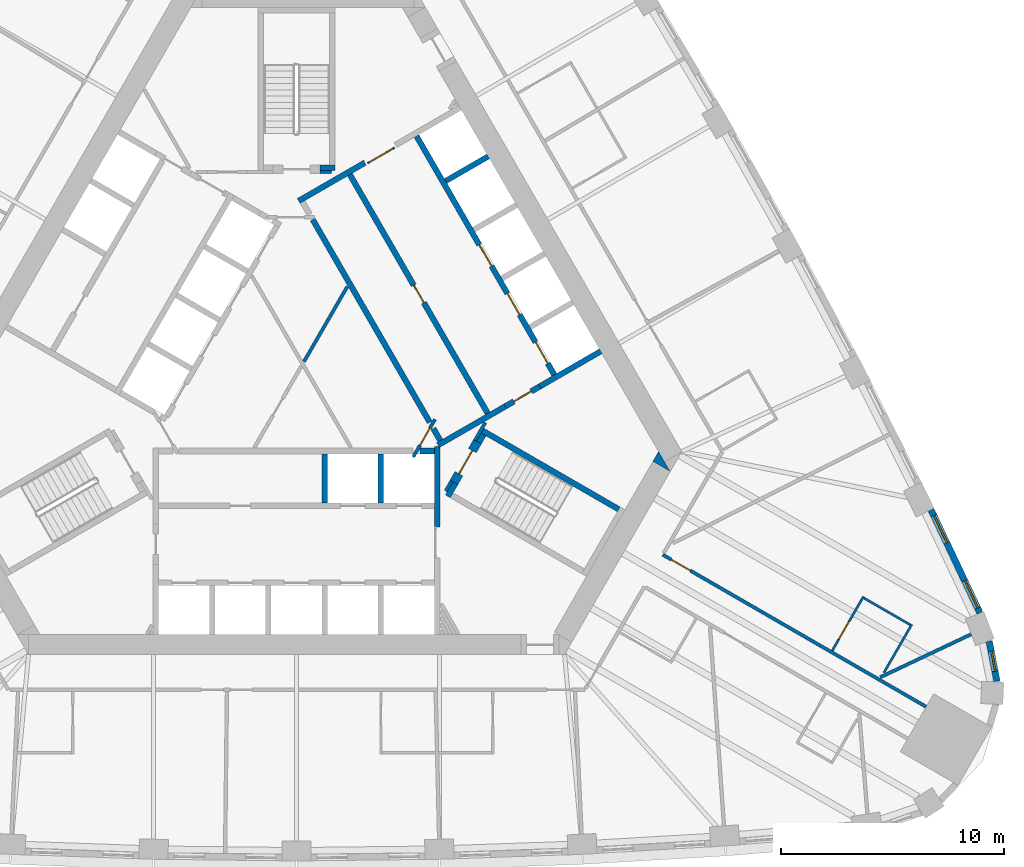
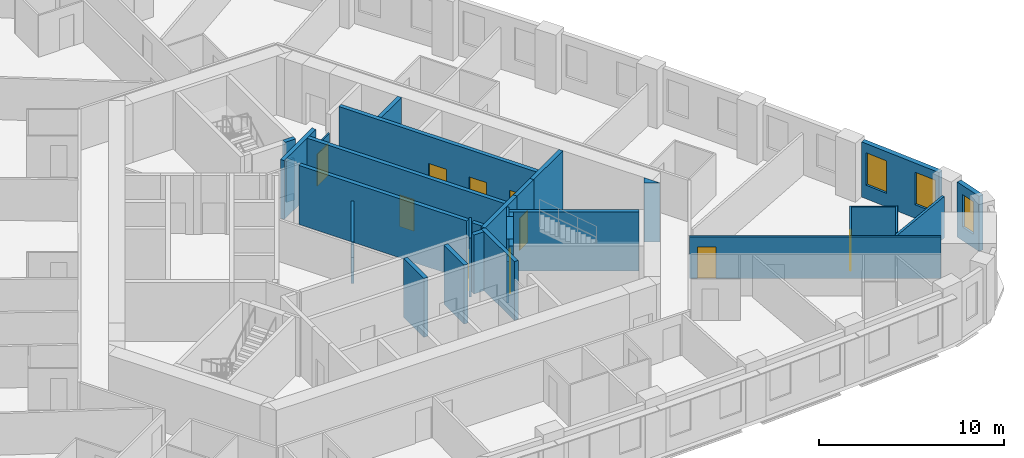
# One storey, part 8 of 12: 32 walls, 10 doors, 3 windows, 13 openings.
"""IFC4 building model written with IfcOpenShell, lengths in metres."""

from ifc_helpers import new_model, si_unit, direction, frame, frame_2d, origin, place, context, subcontext, project, spatial, polyline, rectangle, outline, extrude, material, layer, layer_set, type_object, element, fill, save


model = new_model("IFC4")

# Units and contexts
model_context = context("Model", 3, precision=1e-05, world=origin(), true_north=direction((0.0, 1.0)))
body_context = subcontext(model_context, "Body", "Model", "MODEL_VIEW")
ifc_project = project(units=[si_unit("LENGTHUNIT", "METRE"), si_unit("AREAUNIT", "SQUARE_METRE"), si_unit("VOLUMEUNIT", "CUBIC_METRE"), si_unit("PLANEANGLEUNIT", "RADIAN"), si_unit("MASSUNIT", "GRAM", prefix="KILO")], contexts=[model_context])

# Site, building, storey
site_placement = place(None, origin())
site = spatial("IfcSite", under=ifc_project, at=site_placement, CompositionType="ELEMENT")
building_placement = place(site_placement, origin())
building = spatial("IfcBuilding", under=site, at=building_placement, Name="Mestral Congress Tower", CompositionType="ELEMENT")
storey_placement = place(building_placement, frame((0.0, 0.0, 122.699951171875)))
storey = spatial("IfcBuildingStorey", under=building, at=storey_placement, Name="L29", CompositionType="ELEMENT", Elevation=122.699951171875)

# Walls
ifc_material_1 = material(Name="Fire-rated board partition")
ifc_layer_1 = layer(ifc_material_1, 0.14990234375)
ifc_layer_set_1 = layer_set([ifc_layer_1], Name="Fire-rated board partition")
wall_type_1 = type_object("IfcWallType", Name="Core partition 150", PredefinedType="PARTITIONING", material=ifc_layer_set_1)
wall_1_placement = place(storey_placement, frame((6.94482421875, -5.22216796875, 0.0), z_axis=(0.0, 0.0, 1.0), x_axis=(-0.499818422106, -0.866130212453, 0.0)))
element("IfcWall", 1, at=wall_1_placement, inside=storey, type_object=wall_type_1, Name="L29 core wall", PredefinedType="PARTITIONING", context=body_context, shape_type="SweptSolid", body=[
    extrude(rectangle(XDim=0.513916015625, YDim=0.14990234375, at=frame_2d((0.2568359375, 0.0))), origin(), (0.0, 0.0, 1.0), 2.75),
])
wall_2_placement = place(storey_placement, frame((0.3359375, 0.1318359375, 0.0), z_axis=(0.0, 0.0, 1.0), x_axis=(0.500001957507, 0.866024273614, 0.0)))
element("IfcWall", 2, at=wall_2_placement, inside=storey, type_object=wall_type_1, Name="L29 core wall", PredefinedType="PARTITIONING", context=body_context, shape_type="SweptSolid", body=[
    extrude(rectangle(XDim=3.88134765625, YDim=0.14990234375, at=frame_2d((1.940673828125, 0.0))), origin(), (0.0, 0.0, 1.0), 2.75),
])
wall_3_placement = place(storey_placement, frame((1.050048828125, 8.62548828125, 0.0), z_axis=(0.0, 0.0, 1.0), x_axis=(1.0, 0.0, 0.0)))
element("IfcWall", 3, at=wall_3_placement, inside=storey, type_object=wall_type_1, Name="L29 core wall", PredefinedType="PARTITIONING", context=body_context, shape_type="SweptSolid", body=[
    extrude(rectangle(XDim=0.513916015625, YDim=0.14990234375, at=frame_2d((0.2568359375, 0.0))), origin(), (0.0, 0.0, 1.0), 2.75),
])

# Wall, opening, door
ifc_layer_2 = layer(ifc_material_1, 0.090087890625)
ifc_layer_set_2 = layer_set([ifc_layer_2], Name="Fire-rated board partition")
wall_type_2 = type_object("IfcWallType", Name="Core partition 150 door-wall 90", PredefinedType="PARTITIONING", material=ifc_layer_set_2)
wall_4_placement = place(storey_placement, frame((3.182861328125, 9.02001953125, 0.0), z_axis=(0.0, 0.0, 1.0), x_axis=(0.866034573852, 0.49998411664, 0.0)))
wall_4 = element("IfcWall", 4, at=wall_4_placement, inside=storey, type_object=wall_type_2, Name="L29 door wall", PredefinedType="PARTITIONING", context=body_context, shape_type="SweptSolid", body=[
    extrude(rectangle(XDim=1.39990234375, YDim=0.090087890625, at=frame_2d((0.699951171875, 0.0))), origin(), (0.0, 0.0, 1.0), 2.75),
])
opening_1_placement = place(wall_4_placement, frame((0.10009765625, 0.0, 0.0)))
opening_1 = element("IfcOpeningElement", 5, at=opening_1_placement, cuts=wall_4, Name="Opening LB1-WL2", PredefinedType="OPENING", context=body_context, shape_type="SweptSolid", body=[
    extrude(rectangle(XDim=1.199951171875, YDim=2.10009765625, at=frame_2d((0.60009765625, 1.050048828125))), frame((0.0, 0.054931640625, 0.0), z_axis=(0.0, -1.0, 0.0), x_axis=(1.0, 0.0, 0.0)), (0.0, 0.0, 1.0), 0.110107421875),
])
ifc_material_2 = material(Name="Fire-rated steel door set", Category="steel")
door_type_1 = type_object("IfcDoorType", Name="Core door LB 1200x2100", OperationType="SINGLE_SWING_LEFT", PredefinedType="DOOR", material=ifc_material_2)
door_1_placement = place(opening_1_placement, origin())
door_1 = element("IfcDoor", 6, at=door_1_placement, inside=storey, type_object=door_type_1, Name="Door LB1-WL2", OperationType="SINGLE_SWING_LEFT", OverallHeight=2.10009765625, OverallWidth=1.199951171875, PredefinedType="DOOR", context=body_context, shape_type="SweptSolid", body=[
    extrude(rectangle(XDim=1.199951171875, YDim=2.10009765625, at=frame_2d((0.60009765625, 1.050048828125))), frame((0.0, 0.02490234375, 0.0), z_axis=(0.0, -1.0, 0.0), x_axis=(1.0, 0.0, 0.0)), (0.0, 0.0, 1.0), 0.050048828125),
])
fill(opening_1, door_1)

# Wall
ifc_material_3 = material(Name="Concrete C60/75", Category="concrete")
ifc_layer_3 = layer(ifc_material_3, 0.89990234375)
ifc_layer_set_3 = layer_set([ifc_layer_3], Name="Concrete C60/75")
wall_type_3 = type_object("IfcWallType", Name="Core wall RC 900", PredefinedType="SOLIDWALL", material=ifc_layer_set_3)
placement = place(storey_placement, origin())
element("IfcWall", 7, at=placement, inside=storey, type_object=wall_type_3, Name="L29 core wall", PredefinedType="SOLIDWALL", context=body_context, shape_type="SweptSolid", body=[
    extrude(outline(polyline([(16.223388671875, -3.89990234375), (16.731689453125, -4.780029296875), (15.969482421875, -4.33984375), (16.223388671875, -3.89990234375)])), origin(), (0.0, 0.0, 1.0), 3.900146484375),
])

# Wall, opening, window
ifc_material_4 = material(Name="Precast concrete C40/50 with limestone facing", Category="masonry")
ifc_layer_4 = layer(ifc_material_4, 0.2900390625)
ifc_layer_set_4 = layer_set([ifc_layer_4], Name="Precast concrete C40/50 with limestone facing")
wall_type_4 = type_object("IfcWallType", Name="Facade stone wall 290", PredefinedType="SOLIDWALL", material=ifc_layer_set_4)
wall_6_placement = place(storey_placement, frame((31.385498046875, -14.189208984375, 0.0), z_axis=(0.0, 0.0, 1.0), x_axis=(-0.190409913989, 0.981704672829, 0.0)))
wall_6 = element("IfcWall", 8, at=wall_6_placement, inside=storey, type_object=wall_type_4, Name="Facade wall K0-3", PredefinedType="SOLIDWALL", context=body_context, shape_type="SweptSolid", body=[
    extrude(rectangle(XDim=1.8193359375, YDim=0.2900390625, at=frame_2d((0.90966796875, 0.0))), origin(), (0.0, 0.0, 1.0), 3.650146484375),
])
opening_2_placement = place(wall_6_placement, frame((0.459716796875, 0.0, 0.89990234375)))
opening_2 = element("IfcOpeningElement", 9, at=opening_2_placement, cuts=wall_6, Name="Opening W3", PredefinedType="OPENING", context=body_context, shape_type="SweptSolid", body=[
    extrude(rectangle(XDim=0.89990234375, YDim=2.14990234375, at=frame_2d((0.449951171875, 1.074951171875))), frame((0.0, 0.155029296875, 0.0), z_axis=(0.0, -1.0, 0.0), x_axis=(1.0, 0.0, 0.0)), (0.0, 0.0, 1.0), 0.31005859375),
])
ifc_material_5 = material(Name="Clear low-emissivity double glazing", Category="glass")
window_type_1 = type_object("IfcWindowType", Name="Facade punched window 900 x 2150 sill 900", PartitioningType="SINGLE_PANEL", PredefinedType="WINDOW", material=ifc_material_5)
window_1_placement = place(opening_2_placement, origin())
window_1 = element("IfcWindow", 10, at=window_1_placement, inside=storey, type_object=window_type_1, Name="Window K0-3", OverallHeight=2.14990234375, OverallWidth=0.89990234375, PartitioningType="SINGLE_PANEL", PredefinedType="WINDOW", context=body_context, shape_type="SweptSolid", body=[
    extrude(rectangle(XDim=0.89990234375, YDim=2.14990234375, at=frame_2d((0.449951171875, 1.074951171875))), frame((0.0, 0.01513671875, 0.0), z_axis=(0.0, -1.0, 0.0), x_axis=(1.0, 0.0, 0.0)), (0.0, 0.0, 1.0), 0.06005859375),
])
fill(opening_2, window_1)

# Wall, openings, windows
wall_7_placement = place(storey_placement, frame((30.61962890625, -11.127197265625, 0.0), z_axis=(0.0, 0.0, 1.0), x_axis=(-0.427543726596, 0.903994669148, 0.0)))
wall_7 = element("IfcWall", 11, at=wall_7_placement, inside=storey, type_object=wall_type_4, Name="Facade wall F1-00", PredefinedType="SOLIDWALL", context=body_context, shape_type="SweptSolid", body=[
    extrude(rectangle(XDim=5.106689453125, YDim=0.2900390625, at=frame_2d((2.55322265625, 0.0))), origin(), (0.0, 0.0, 1.0), 3.650146484375),
])
opening_3_placement = place(wall_7_placement, frame((0.240478515625, 0.0, 0.89990234375)))
opening_3 = element("IfcOpeningElement", 12, at=opening_3_placement, cuts=wall_7, Name="Opening W2", PredefinedType="OPENING", context=body_context, shape_type="SweptSolid", body=[
    extrude(rectangle(XDim=1.35009765625, YDim=2.14990234375, at=frame_2d((0.675048828125, 1.074951171875))), frame((0.0, 0.155029296875, 0.0), z_axis=(0.0, -1.0, 0.0), x_axis=(1.0, 0.0, 0.0)), (0.0, 0.0, 1.0), 0.31005859375),
])
opening_4_placement = place(wall_7_placement, frame((3.47119140625, 0.0, 0.89990234375)))
opening_4 = element("IfcOpeningElement", 13, at=opening_4_placement, cuts=wall_7, Name="Opening W2", PredefinedType="OPENING", context=body_context, shape_type="SweptSolid", body=[
    extrude(rectangle(XDim=1.35009765625, YDim=2.14990234375, at=frame_2d((0.675048828125, 1.074951171875))), frame((0.0, 0.155029296875, 0.0), z_axis=(0.0, -1.0, 0.0), x_axis=(1.0, 0.0, 0.0)), (0.0, 0.0, 1.0), 0.31005859375),
])
window_type_2 = type_object("IfcWindowType", Name="Facade punched window 1350 x 2150 sill 900", PartitioningType="DOUBLE_PANEL_VERTICAL", PredefinedType="WINDOW", material=ifc_material_5)
window_2_placement = place(opening_3_placement, origin())
window_2 = element("IfcWindow", 14, at=window_2_placement, inside=storey, type_object=window_type_2, Name="Window F1-00a", OverallHeight=2.14990234375, OverallWidth=1.35009765625, PartitioningType="DOUBLE_PANEL_VERTICAL", PredefinedType="WINDOW", context=body_context, shape_type="SweptSolid", body=[
    extrude(rectangle(XDim=1.35009765625, YDim=2.14990234375, at=frame_2d((0.675048828125, 1.074951171875))), frame((0.0, 0.01513671875, 0.0), z_axis=(0.0, -1.0, 0.0), x_axis=(1.0, 0.0, 0.0)), (0.0, 0.0, 1.0), 0.06005859375),
])
fill(opening_3, window_2)
window_3_placement = place(opening_4_placement, origin())
window_3 = element("IfcWindow", 15, at=window_3_placement, inside=storey, type_object=window_type_2, Name="Window F1-00b", OverallHeight=2.14990234375, OverallWidth=1.35009765625, PartitioningType="DOUBLE_PANEL_VERTICAL", PredefinedType="WINDOW", context=body_context, shape_type="SweptSolid", body=[
    extrude(rectangle(XDim=1.35009765625, YDim=2.14990234375, at=frame_2d((0.675048828125, 1.074951171875))), frame((0.0, 0.01513671875, 0.0), z_axis=(0.0, -1.0, 0.0), x_axis=(1.0, 0.0, 0.0)), (0.0, 0.0, 1.0), 0.06005859375),
])
fill(opening_4, window_3)

# Wall, opening, door
ifc_material_6 = material(Name="Gypsum board partition on metal studs with mineral wool", Category="composite")
ifc_layer_5 = layer(ifc_material_6, 0.10009765625)
ifc_layer_set_5 = layer_set([ifc_layer_5], Name="Gypsum board partition on metal studs with mineral wool")
wall_type_5 = type_object("IfcWallType", Name="Hotel partition wall 100", PredefinedType="PARTITIONING", material=ifc_layer_set_5)
wall_8_placement = place(storey_placement, frame((25.40380859375, -10.39453125, 0.0), z_axis=(0.0, 0.0, 1.0), x_axis=(-0.49998411664, -0.866034573852, 0.0)))
wall_8 = element("IfcWall", 16, at=wall_8_placement, inside=storey, type_object=wall_type_5, Name="L29-h-pod07a", PredefinedType="PARTITIONING", context=body_context, shape_type="SweptSolid", body=[
    extrude(rectangle(XDim=2.7998046875, YDim=0.10009765625, at=frame_2d((1.39990234375, 0.0))), origin(), (0.0, 0.0, 1.0), 2.75),
])
opening_5_placement = place(wall_8_placement, frame((1.300048828125, 0.0, 0.0)))
opening_5 = element("IfcOpeningElement", 17, at=opening_5_placement, cuts=wall_8, Name="Opening H09-014", PredefinedType="OPENING", context=body_context, shape_type="SweptSolid", body=[
    extrude(rectangle(XDim=0.89990234375, YDim=2.10009765625, at=frame_2d((0.449951171875, 1.050048828125))), frame((0.0, 0.06005859375, 0.0), z_axis=(0.0, -1.0, 0.0), x_axis=(1.0, 0.0, 0.0)), (0.0, 0.0, 1.0), 0.1201171875),
])
ifc_material_7 = material(Name="Timber veneer door leaf in timber frame", Category="wood")
door_type_2 = type_object("IfcDoorType", Name="Bathroom door 900", OperationType="SINGLE_SWING_LEFT", PredefinedType="DOOR", material=ifc_material_7)
door_2_placement = place(opening_5_placement, origin())
door_2 = element("IfcDoor", 18, at=door_2_placement, inside=storey, type_object=door_type_2, Name="L29-h-d014", OperationType="SINGLE_SWING_LEFT", OverallHeight=2.10009765625, OverallWidth=0.89990234375, PredefinedType="DOOR", context=body_context, shape_type="SweptSolid", body=[
    extrude(rectangle(XDim=0.89990234375, YDim=2.10009765625, at=frame_2d((0.449951171875, 1.050048828125))), frame((0.0, 0.02490234375, 0.0), z_axis=(0.0, -1.0, 0.0), x_axis=(1.0, 0.0, 0.0)), (0.0, 0.0, 1.0), 0.050048828125),
])
fill(opening_5, door_2)

# Walls
wall_9_placement = place(storey_placement, frame((25.422119140625, -10.462890625, 0.0), z_axis=(0.0, 0.0, 1.0), x_axis=(0.866024647952, -0.500001309137, 0.0)))
element("IfcWall", 19, at=wall_9_placement, inside=storey, type_object=wall_type_5, Name="L29-h-pod07b", PredefinedType="PARTITIONING", context=body_context, shape_type="SweptSolid", body=[
    extrude(rectangle(XDim=2.39990234375, YDim=0.10009765625, at=frame_2d((1.199951171875, 0.0))), origin(), (0.0, 0.0, 1.0), 2.75),
])
wall_10_placement = place(storey_placement, frame((26.31884765625, -13.8095703125, 0.0), z_axis=(0.0, 0.0, 1.0), x_axis=(0.500004234368, 0.866022959057, 0.0)))
element("IfcWall", 20, at=wall_10_placement, inside=storey, type_object=wall_type_5, Name="L29-h-pod07c", PredefinedType="PARTITIONING", context=body_context, shape_type="SweptSolid", body=[
    extrude(rectangle(XDim=2.5, YDim=0.10009765625, at=frame_2d((1.25, 0.0))), origin(), (0.0, 0.0, 1.0), 2.75),
])

# Wall, opening, door
ifc_layer_6 = layer(ifc_material_6, 0.14990234375)
ifc_layer_set_6 = layer_set([ifc_layer_6], Name="Gypsum board partition on metal studs with mineral wool")
wall_type_6 = type_object("IfcWallType", Name="Hotel partition wall 150", PredefinedType="PARTITIONING", material=ifc_layer_set_6)
wall_11_placement = place(storey_placement, frame((16.412353515625, -8.52294921875, 0.0), z_axis=(0.0, 0.0, 1.0), x_axis=(0.866025629663, -0.499999608766, 0.0)))
wall_11 = element("IfcWall", 21, at=wall_11_placement, inside=storey, type_object=wall_type_6, Name="L29-h-cw01", PredefinedType="PARTITIONING", context=body_context, shape_type="SweptSolid", body=[
    extrude(rectangle(XDim=13.62353515625, YDim=0.14990234375, at=frame_2d((6.811767578125, 0.0))), origin(), (0.0, 0.0, 1.0), 2.75),
])
opening_6_placement = place(wall_11_placement, frame((0.42626953125, 0.0, 0.0)))
opening_6 = element("IfcOpeningElement", 22, at=opening_6_placement, cuts=wall_11, Name="Opening H09-013", PredefinedType="OPENING", context=body_context, shape_type="SweptSolid", body=[
    extrude(rectangle(XDim=1.0, YDim=2.10009765625, at=frame_2d((0.5, 1.050048828125))), frame((0.0, 0.0849609375, 0.0), z_axis=(0.0, -1.0, 0.0), x_axis=(1.0, 0.0, 0.0)), (0.0, 0.0, 1.0), 0.169921875),
])
ifc_material_8 = material(Name="Timber veneer door leaf in metal frame", Category="wood")
door_type_3 = type_object("IfcDoorType", Name="Guest room entrance door 1000", OperationType="SINGLE_SWING_LEFT", PredefinedType="DOOR", material=ifc_material_8)
door_3_placement = place(opening_6_placement, origin())
door_3 = element("IfcDoor", 23, at=door_3_placement, inside=storey, type_object=door_type_3, Name="L29-h-d013", OperationType="SINGLE_SWING_LEFT", OverallHeight=2.10009765625, OverallWidth=1.0, PredefinedType="DOOR", context=body_context, shape_type="SweptSolid", body=[
    extrude(rectangle(XDim=1.0, YDim=2.10009765625, at=frame_2d((0.5, 1.050048828125))), frame((0.0, 0.02490234375, 0.0), z_axis=(0.0, -1.0, 0.0), x_axis=(1.0, 0.0, 0.0)), (0.0, 0.0, 1.0), 0.050048828125),
])
fill(opening_6, door_3)

# Walls
wall_12_placement = place(storey_placement, frame((30.23095703125, -12.08544921875, 0.0), z_axis=(0.0, 0.0, 1.0), x_axis=(-0.904001132572, -0.427530060122, 0.0)))
element("IfcWall", 24, at=wall_12_placement, inside=storey, type_object=wall_type_6, Name="L29-h-pw22", PredefinedType="PARTITIONING", context=body_context, shape_type="SweptSolid", body=[
    extrude(rectangle(XDim=4.509521484375, YDim=0.14990234375, at=frame_2d((2.2548828125, 0.0))), origin(), (0.0, 0.0, 1.0), 2.75),
])
ifc_layer_7 = layer(ifc_material_3, 0.25)
ifc_layer_set_7 = layer_set([ifc_layer_7], Name="Concrete C60/75")
wall_type_7 = type_object("IfcWallType", Name="Shaft wall RC 250", PredefinedType="SOLIDWALL", material=ifc_layer_set_7)
for number, where, z_axis, x_axis, name in (
    (25, (3.780029296875, -4.0, 0.0), (0.0, 0.0, 1.0), (0.0, -1.0, 0.0), "L29 core wall"),
    (26, (1.260009765625, -4.0, 0.0), (0.0, 0.0, 1.0), (0.0, -1.0, 0.0), "L29 core wall"),
):
    element("IfcWall", number, at=place(storey_placement, frame(where, z_axis=z_axis, x_axis=x_axis)), inside=storey, type_object=wall_type_7, Name=name, PredefinedType="SOLIDWALL", context=body_context, shape_type="SweptSolid", body=[
        extrude(rectangle(XDim=2.199951171875, YDim=0.25, at=frame_2d((1.10009765625, 0.0))), origin(), (0.0, 0.0, 1.0), 3.900146484375),
    ])
wall_13_placement = place(storey_placement, frame((6.300048828125, -7.27001953125, 0.0), z_axis=(0.0, 0.0, 1.0), x_axis=(0.0, 1.0, 0.0)))
element("IfcWall", 27, at=wall_13_placement, inside=storey, type_object=wall_type_7, Name="L29 core wall", PredefinedType="SOLIDWALL", context=body_context, shape_type="SweptSolid", body=[
    extrude(rectangle(XDim=3.586181640625, YDim=0.25, at=frame_2d((1.79296875, 0.0))), origin(), (0.0, 0.0, 1.0), 3.900146484375),
])
wall_14_placement = place(storey_placement, frame((5.538330078125, -3.875, 0.0), z_axis=(0.0, 0.0, 1.0), x_axis=(1.0, 0.0, 0.0)))
element("IfcWall", 28, at=wall_14_placement, inside=storey, type_object=wall_type_7, Name="L29 core wall", PredefinedType="SOLIDWALL", context=body_context, shape_type="SweptSolid", body=[
    extrude(rectangle(XDim=0.63671875, YDim=0.25, at=frame_2d((0.318359375, 0.0))), origin(), (0.0, 0.0, 1.0), 3.900146484375),
])
wall_15_placement = place(storey_placement, frame((13.62890625, 0.593994140625, 0.0), z_axis=(0.0, 0.0, 1.0), x_axis=(-0.86602790099, -0.499995674689, 0.0)))
element("IfcWall", 29, at=wall_15_placement, inside=storey, type_object=wall_type_7, Name="L29 core wall", PredefinedType="SOLIDWALL", context=body_context, shape_type="SweptSolid", body=[
    extrude(rectangle(XDim=3.1455078125, YDim=0.25, at=frame_2d((1.57275390625, 0.0))), origin(), (0.0, 0.0, 1.0), 3.900146484375),
])
wall_16_placement = place(storey_placement, frame((9.345703125, -1.87890625, 0.0), z_axis=(0.0, 0.0, 1.0), x_axis=(-0.866048528039, -0.499959945477, 0.0)))
element("IfcWall", 30, at=wall_16_placement, inside=storey, type_object=wall_type_7, Name="L29 core wall", PredefinedType="SOLIDWALL", context=body_context, shape_type="SweptSolid", body=[
    extrude(rectangle(XDim=3.470458984375, YDim=0.25, at=frame_2d((1.7353515625, 0.0))), origin(), (0.0, 0.0, 1.0), 3.900146484375),
])
wall_17_placement = place(storey_placement, frame((6.1298828125, -2.867431640625, 0.0), z_axis=(0.0, 0.0, 1.0), x_axis=(0.500160776593, -0.865932559475, 0.0)))
element("IfcWall", 31, at=wall_17_placement, inside=storey, type_object=wall_type_7, Name="L29 core wall", PredefinedType="SOLIDWALL", context=body_context, shape_type="SweptSolid", body=[
    extrude(rectangle(XDim=0.626708984375, YDim=0.25, at=frame_2d((0.3134765625, 0.0))), origin(), (0.0, 0.0, 1.0), 3.900146484375),
])
wall_18_placement = place(storey_placement, frame((6.68359375, 8.2236328125, 0.0), z_axis=(0.0, 0.0, 1.0), x_axis=(0.86605622881, 0.499946605688, 0.0)))
element("IfcWall", 32, at=wall_18_placement, inside=storey, type_object=wall_type_7, Name="L29 core wall", PredefinedType="SOLIDWALL", context=body_context, shape_type="SweptSolid", body=[
    extrude(rectangle(XDim=2.199951171875, YDim=0.25, at=frame_2d((1.10009765625, 0.0))), origin(), (0.0, 0.0, 1.0), 3.900146484375),
])
element("IfcWall", 33, at=placement, inside=storey, type_object=wall_type_7, Name="L29 core wall", PredefinedType="SOLIDWALL", context=body_context, shape_type="SweptSolid", body=[
    extrude(outline(polyline([(2.776123046875, 8.73291015625), (2.49853515625, 8.57275390625), (2.498291015625, 8.57275390625), (2.498291015625, 8.57275390625), (2.28173828125, 8.44775390625), (2.28173828125, 8.44775390625), (0.376708984375, 7.34765625), (0.16015625, 7.22265625), (0.03515625, 7.439208984375), (3.031982421875, 9.16943359375), (3.02978515625, 9.152099609375), (3.029541015625, 9.132568359375), (3.03125, 9.113037109375), (3.03466796875, 9.09375), (3.0400390625, 9.074951171875), (3.04736328125, 9.056640625), (3.05615234375, 9.0390625), (3.118896484375, 8.930908203125), (2.776123046875, 8.73291015625)])), origin(), (0.0, 0.0, 1.0), 3.900146484375),
])
wall_20_placement = place(storey_placement, frame((5.970458984375, -2.591064453125, 0.0), z_axis=(0.0, 0.0, 1.0), x_axis=(-0.499994469932, 0.866028596547, 0.0)))
element("IfcWall", 34, at=wall_20_placement, inside=storey, type_object=wall_type_7, Name="L29 core wall", PredefinedType="SOLIDWALL", context=body_context, shape_type="SweptSolid", body=[
    extrude(rectangle(XDim=10.48828125, YDim=0.25, at=frame_2d((5.244140625, 0.0))), origin(), (0.0, 0.0, 1.0), 3.900146484375),
])

# Wall, openings, doors
wall_21_placement = place(storey_placement, frame((11.552978515625, -0.460205078125, 0.0), z_axis=(0.0, 0.0, 1.0), x_axis=(-0.500006514828, 0.866021642414, 0.0)))
wall_21 = element("IfcWall", 35, at=wall_21_placement, inside=storey, type_object=wall_type_7, Name="L29 door wall", PredefinedType="SOLIDWALL", context=body_context, shape_type="SweptSolid", body=[
    extrude(rectangle(XDim=12.349853515625, YDim=0.25, at=frame_2d((6.1748046875, 0.0))), origin(), (0.0, 0.0, 1.0), 3.900146484375),
])
opening_7_placement = place(wall_21_placement, frame((0.5849609375, 0.0, 0.0)))
opening_7 = element("IfcOpeningElement", 36, at=opening_7_placement, cuts=wall_21, Name="Opening LD-NEA1", PredefinedType="OPENING", context=body_context, shape_type="SweptSolid", body=[
    extrude(rectangle(XDim=1.10009765625, YDim=2.10009765625, at=frame_2d((0.550048828125, 1.050048828125))), frame((0.0, 0.135009765625, 0.0), z_axis=(0.0, -1.0, 0.0), x_axis=(1.0, 0.0, 0.0)), (0.0, 0.0, 1.0), 0.27001953125),
])
opening_8_placement = place(wall_21_placement, frame((3.10498046875, 0.0, 0.0)))
opening_8 = element("IfcOpeningElement", 37, at=opening_8_placement, cuts=wall_21, Name="Opening LD-NEA2", PredefinedType="OPENING", context=body_context, shape_type="SweptSolid", body=[
    extrude(rectangle(XDim=1.10009765625, YDim=2.10009765625, at=frame_2d((0.550048828125, 1.050048828125))), frame((0.0, 0.135009765625, 0.0), z_axis=(0.0, -1.0, 0.0), x_axis=(1.0, 0.0, 0.0)), (0.0, 0.0, 1.0), 0.27001953125),
])
opening_9_placement = place(wall_21_placement, frame((5.625, 0.0, 0.0)))
opening_9 = element("IfcOpeningElement", 38, at=opening_9_placement, cuts=wall_21, Name="Opening LD-NEA3", PredefinedType="OPENING", context=body_context, shape_type="SweptSolid", body=[
    extrude(rectangle(XDim=1.10009765625, YDim=2.10009765625, at=frame_2d((0.550048828125, 1.050048828125))), frame((0.0, 0.135009765625, 0.0), z_axis=(0.0, -1.0, 0.0), x_axis=(1.0, 0.0, 0.0)), (0.0, 0.0, 1.0), 0.27001953125),
])
door_type_4 = type_object("IfcDoorType", Name="Core door LD 1100x2100", OperationType="DOUBLE_DOOR_SLIDING", PredefinedType="DOOR", material=ifc_material_2)
door_4_placement = place(opening_7_placement, origin())
door_4 = element("IfcDoor", 39, at=door_4_placement, inside=storey, type_object=door_type_4, Name="Door LD-NEA1", OperationType="DOUBLE_DOOR_SLIDING", OverallHeight=2.10009765625, OverallWidth=1.10009765625, PredefinedType="DOOR", context=body_context, shape_type="SweptSolid", body=[
    extrude(rectangle(XDim=1.10009765625, YDim=2.10009765625, at=frame_2d((0.550048828125, 1.050048828125))), frame((0.0, 0.02490234375, 0.0), z_axis=(0.0, -1.0, 0.0), x_axis=(1.0, 0.0, 0.0)), (0.0, 0.0, 1.0), 0.050048828125),
])
fill(opening_7, door_4)
door_5_placement = place(opening_8_placement, origin())
door_5 = element("IfcDoor", 40, at=door_5_placement, inside=storey, type_object=door_type_4, Name="Door LD-NEA2", OperationType="DOUBLE_DOOR_SLIDING", OverallHeight=2.10009765625, OverallWidth=1.10009765625, PredefinedType="DOOR", context=body_context, shape_type="SweptSolid", body=[
    extrude(rectangle(XDim=1.10009765625, YDim=2.10009765625, at=frame_2d((0.550048828125, 1.050048828125))), frame((0.0, 0.02490234375, 0.0), z_axis=(0.0, -1.0, 0.0), x_axis=(1.0, 0.0, 0.0)), (0.0, 0.0, 1.0), 0.050048828125),
])
fill(opening_8, door_5)
door_6_placement = place(opening_9_placement, origin())
door_6 = element("IfcDoor", 41, at=door_6_placement, inside=storey, type_object=door_type_4, Name="Door LD-NEA3", OperationType="DOUBLE_DOOR_SLIDING", OverallHeight=2.10009765625, OverallWidth=1.10009765625, PredefinedType="DOOR", context=body_context, shape_type="SweptSolid", body=[
    extrude(rectangle(XDim=1.10009765625, YDim=2.10009765625, at=frame_2d((0.550048828125, 1.050048828125))), frame((0.0, 0.02490234375, 0.0), z_axis=(0.0, -1.0, 0.0), x_axis=(1.0, 0.0, 0.0)), (0.0, 0.0, 1.0), 0.050048828125),
])
fill(opening_9, door_6)

# Wall, opening, door
wall_22_placement = place(storey_placement, frame((8.565185546875, -2.185302734375, 0.0), z_axis=(0.0, 0.0, 1.0), x_axis=(-0.499997954832, 0.866026584559, 0.0)))
wall_22 = element("IfcWall", 42, at=wall_22_placement, inside=storey, type_object=wall_type_7, Name="L29 door wall", PredefinedType="SOLIDWALL", context=body_context, shape_type="SweptSolid", body=[
    extrude(rectangle(XDim=12.35009765625, YDim=0.25, at=frame_2d((6.175048828125, 0.0))), origin(), (0.0, 0.0, 1.0), 3.900146484375),
])
opening_10_placement = place(wall_22_placement, frame((5.72509765625, 0.0, 0.0)))
opening_10 = element("IfcOpeningElement", 43, at=opening_10_placement, cuts=wall_22, Name="Opening SR-NEB1", PredefinedType="OPENING", context=body_context, shape_type="SweptSolid", body=[
    extrude(rectangle(XDim=0.89990234375, YDim=2.10009765625, at=frame_2d((0.449951171875, 1.050048828125))), frame((0.0, 0.135009765625, 0.0), z_axis=(0.0, -1.0, 0.0), x_axis=(1.0, 0.0, 0.0)), (0.0, 0.0, 1.0), 0.27001953125),
])
door_type_5 = type_object("IfcDoorType", Name="Core door SR 900x2100", OperationType="SINGLE_SWING_LEFT", PredefinedType="DOOR", material=ifc_material_2)
door_7_placement = place(opening_10_placement, origin())
door_7 = element("IfcDoor", 44, at=door_7_placement, inside=storey, type_object=door_type_5, Name="Door SR-NEB1", OperationType="SINGLE_SWING_LEFT", OverallHeight=2.10009765625, OverallWidth=0.89990234375, PredefinedType="DOOR", context=body_context, shape_type="SweptSolid", body=[
    extrude(rectangle(XDim=0.89990234375, YDim=2.10009765625, at=frame_2d((0.449951171875, 1.050048828125))), frame((0.0, 0.02490234375, 0.0), z_axis=(0.0, -1.0, 0.0), x_axis=(1.0, 0.0, 0.0)), (0.0, 0.0, 1.0), 0.050048828125),
])
fill(opening_10, door_7)

wall_23_placement = place(storey_placement, frame((9.345947265625, -1.878662109375, 0.0), z_axis=(0.0, 0.0, 1.0), x_axis=(0.866047807691, 0.499961193289, 0.0)))
wall_23 = element("IfcWall", 45, at=wall_23_placement, inside=storey, type_object=wall_type_7, Name="L29 door wall", PredefinedType="SOLIDWALL", context=body_context, shape_type="SweptSolid", body=[
    extrude(rectangle(XDim=1.800048828125, YDim=0.25, at=frame_2d((0.89990234375, 0.0))), origin(), (0.0, 0.0, 1.0), 3.900146484375),
])
opening_11_placement = place(wall_23_placement, frame((0.449951171875, 0.0, 0.0)))
opening_11 = element("IfcOpeningElement", 46, at=opening_11_placement, cuts=wall_23, Name="Opening TD1", PredefinedType="OPENING", context=body_context, shape_type="SweptSolid", body=[
    extrude(rectangle(XDim=0.89990234375, YDim=2.10009765625, at=frame_2d((0.449951171875, 1.050048828125))), frame((0.0, 0.135009765625, 0.0), z_axis=(0.0, -1.0, 0.0), x_axis=(1.0, 0.0, 0.0)), (0.0, 0.0, 1.0), 0.27001953125),
])
door_8_placement = place(opening_11_placement, origin())
door_8 = element("IfcDoor", 47, at=door_8_placement, inside=storey, type_object=door_type_5, Name="Door TD1", OperationType="SINGLE_SWING_LEFT", OverallHeight=2.10009765625, OverallWidth=0.89990234375, PredefinedType="DOOR", context=body_context, shape_type="SweptSolid", body=[
    extrude(rectangle(XDim=0.89990234375, YDim=2.10009765625, at=frame_2d((0.449951171875, 1.050048828125))), frame((0.0, 0.02490234375, 0.0), z_axis=(0.0, -1.0, 0.0), x_axis=(1.0, 0.0, 0.0)), (0.0, 0.0, 1.0), 0.050048828125),
])
fill(opening_11, door_8)

# Wall
ifc_layer_8 = layer(ifc_material_3, 0.14990234375)
ifc_layer_set_8 = layer_set([ifc_layer_8], Name="Concrete C60/75")
wall_type_8 = type_object("IfcWallType", Name="Shaft wall RC 250 door-wall 150", PredefinedType="SOLIDWALL", material=ifc_layer_set_8)
wall_24_placement = place(storey_placement, frame((8.459228515625, -2.59912109375, 0.0), z_axis=(0.0, 0.0, 1.0), x_axis=(-0.500041054325, -0.866001699761, 0.0)))
element("IfcWall", 48, at=wall_24_placement, inside=storey, type_object=wall_type_8, Name="L29 core wall", PredefinedType="PARTITIONING", context=body_context, shape_type="SweptSolid", body=[
    extrude(rectangle(XDim=0.9287109375, YDim=0.14990234375, at=frame_2d((0.46435546875, 0.0))), origin(), (0.0, 0.0, 1.0), 3.900146484375),
])

# Wall, opening, door
wall_25_placement = place(storey_placement, frame((6.203369140625, -2.45556640625, 0.0), z_axis=(0.0, 0.0, 1.0), x_axis=(-0.500043961785, -0.866000020948, 0.0)))
wall_25 = element("IfcWall", 49, at=wall_25_placement, inside=storey, type_object=wall_type_8, Name="L29 door wall", PredefinedType="PARTITIONING", context=body_context, shape_type="SweptSolid", body=[
    extrude(rectangle(XDim=1.949951171875, YDim=0.14990234375, at=frame_2d((0.97509765625, 0.0))), origin(), (0.0, 0.0, 1.0), 3.900146484375),
])
opening_12_placement = place(wall_25_placement, frame((0.449951171875, 0.0, 0.0)))
opening_12 = element("IfcOpeningElement", 50, at=opening_12_placement, cuts=wall_25, Name="Opening CD1-HUB0", PredefinedType="OPENING", context=body_context, shape_type="SweptSolid", body=[
    extrude(rectangle(XDim=0.89990234375, YDim=2.10009765625, at=frame_2d((0.449951171875, 1.050048828125))), frame((0.0, 0.0849609375, 0.0), z_axis=(0.0, -1.0, 0.0), x_axis=(1.0, 0.0, 0.0)), (0.0, 0.0, 1.0), 0.169921875),
])
door_type_6 = type_object("IfcDoorType", Name="Core door CD 900x2100", OperationType="SINGLE_SWING_LEFT", PredefinedType="DOOR", material=ifc_material_2)
door_9_placement = place(opening_12_placement, origin())
door_9 = element("IfcDoor", 51, at=door_9_placement, inside=storey, type_object=door_type_6, Name="Door CD1-HUB0", OperationType="SINGLE_SWING_LEFT", OverallHeight=2.10009765625, OverallWidth=0.89990234375, PredefinedType="DOOR", context=body_context, shape_type="SweptSolid", body=[
    extrude(rectangle(XDim=0.89990234375, YDim=2.10009765625, at=frame_2d((0.449951171875, 1.050048828125))), frame((0.0, 0.02490234375, 0.0), z_axis=(0.0, -1.0, 0.0), x_axis=(1.0, 0.0, 0.0)), (0.0, 0.0, 1.0), 0.050048828125),
])
fill(opening_12, door_9)

# Walls
ifc_layer_9 = layer(ifc_material_3, 0.25)
ifc_layer_set_9 = layer_set([ifc_layer_9], Name="Concrete C60/75")
wall_type_9 = type_object("IfcWallType", Name="Stair wall RC 250", PredefinedType="SOLIDWALL", material=ifc_layer_set_9)
wall_26_placement = place(storey_placement, frame((6.780029296875, -5.906494140625, 0.0), z_axis=(0.0, 0.0, 1.0), x_axis=(0.500223362819, 0.865896406789, 0.0)))
element("IfcWall", 52, at=wall_26_placement, inside=storey, type_object=wall_type_9, Name="L29 core wall", PredefinedType="SOLIDWALL", context=body_context, shape_type="SweptSolid", body=[
    extrude(rectangle(XDim=0.675048828125, YDim=0.25, at=frame_2d((0.33740234375, 0.0))), origin(), (0.0, 0.0, 1.0), 3.900146484375),
])
wall_27_placement = place(storey_placement, frame((8.33447265625, -2.96435546875, 0.0), z_axis=(0.0, 0.0, 1.0), x_axis=(0.866016039709, -0.500016218704, 0.0)))
element("IfcWall", 53, at=wall_27_placement, inside=storey, type_object=wall_type_9, Name="L29 core wall", PredefinedType="SOLIDWALL", context=body_context, shape_type="SweptSolid", body=[
    extrude(rectangle(XDim=7.050048828125, YDim=0.25, at=frame_2d((3.52490234375, 0.0))), origin(), (0.0, 0.0, 1.0), 3.900146484375),
])
wall_28_placement = place(storey_placement, frame((8.167724609375, -3.503173828125, 0.0), z_axis=(0.0, 0.0, 1.0), x_axis=(0.49972245349, 0.866185586049, 0.0)))
element("IfcWall", 54, at=wall_28_placement, inside=storey, type_object=wall_type_9, Name="L29 core wall", PredefinedType="SOLIDWALL", context=body_context, shape_type="SweptSolid", body=[
    extrude(rectangle(XDim=0.425048828125, YDim=0.25, at=frame_2d((0.21240234375, 0.0))), origin(), (0.0, 0.0, 1.0), 3.900146484375),
])
wall_29_placement = place(storey_placement, frame((1.050048828125, 8.824951171875, 0.0), z_axis=(0.0, 0.0, 1.0), x_axis=(1.0, 0.0, 0.0)))
element("IfcWall", 55, at=wall_29_placement, inside=storey, type_object=wall_type_9, Name="L29 core wall", PredefinedType="SOLIDWALL", context=body_context, shape_type="SweptSolid", body=[
    extrude(rectangle(XDim=0.675048828125, YDim=0.25, at=frame_2d((0.33740234375, 0.0))), origin(), (0.0, 0.0, 1.0), 3.900146484375),
])

# Wall, opening, door
ifc_layer_10 = layer(ifc_material_3, 0.39990234375)
ifc_layer_set_10 = layer_set([ifc_layer_10], Name="Concrete C60/75")
wall_type_10 = type_object("IfcWallType", Name="Stair wall RC 250 door-wall 400", PredefinedType="SOLIDWALL", material=ifc_layer_set_10)
wall_30_placement = place(storey_placement, frame((7.052734375, -5.2841796875, 0.0), z_axis=(0.0, 0.0, 1.0), x_axis=(0.500078061341, 0.865980330357, 0.0)))
wall_30 = element("IfcWall", 56, at=wall_30_placement, inside=storey, type_object=wall_type_10, Name="L29 door wall", PredefinedType="SOLIDWALL", context=body_context, shape_type="SweptSolid", body=[
    extrude(rectangle(XDim=2.099853515625, YDim=0.39990234375, at=frame_2d((1.0498046875, 0.0))), origin(), (0.0, 0.0, 1.0), 3.900146484375),
])
opening_13_placement = place(wall_30_placement, frame((0.449951171875, 0.0, 0.0)))
opening_13 = element("IfcOpeningElement", 57, at=opening_13_placement, cuts=wall_30, Name="Opening ST-D1", PredefinedType="OPENING", context=body_context, shape_type="SweptSolid", body=[
    extrude(rectangle(XDim=1.199951171875, YDim=2.10009765625, at=frame_2d((0.60009765625, 1.050048828125))), frame((0.0, 0.2099609375, 0.0), z_axis=(0.0, -1.0, 0.0), x_axis=(1.0, 0.0, 0.0)), (0.0, 0.0, 1.0), 0.419921875),
])
door_type_7 = type_object("IfcDoorType", Name="Core door ST 1200x2100", OperationType="SINGLE_SWING_LEFT", PredefinedType="DOOR", material=ifc_material_2)
door_10_placement = place(opening_13_placement, origin())
door_10 = element("IfcDoor", 58, at=door_10_placement, inside=storey, type_object=door_type_7, Name="Door ST-D1", OperationType="SINGLE_SWING_LEFT", OverallHeight=2.10009765625, OverallWidth=1.199951171875, PredefinedType="DOOR", context=body_context, shape_type="SweptSolid", body=[
    extrude(rectangle(XDim=1.199951171875, YDim=2.10009765625, at=frame_2d((0.60009765625, 1.050048828125))), frame((0.0, 0.02490234375, 0.0), z_axis=(0.0, -1.0, 0.0), x_axis=(1.0, 0.0, 0.0)), (0.0, 0.0, 1.0), 0.050048828125),
])
fill(opening_13, door_10)

save(model, "model.ifc")
